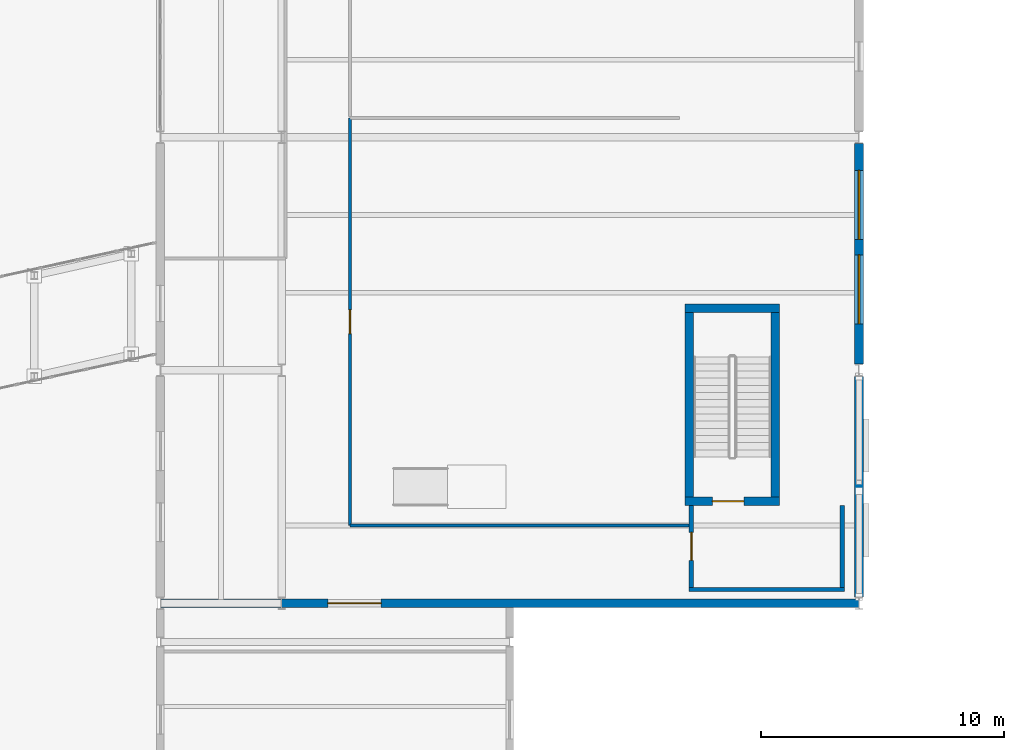
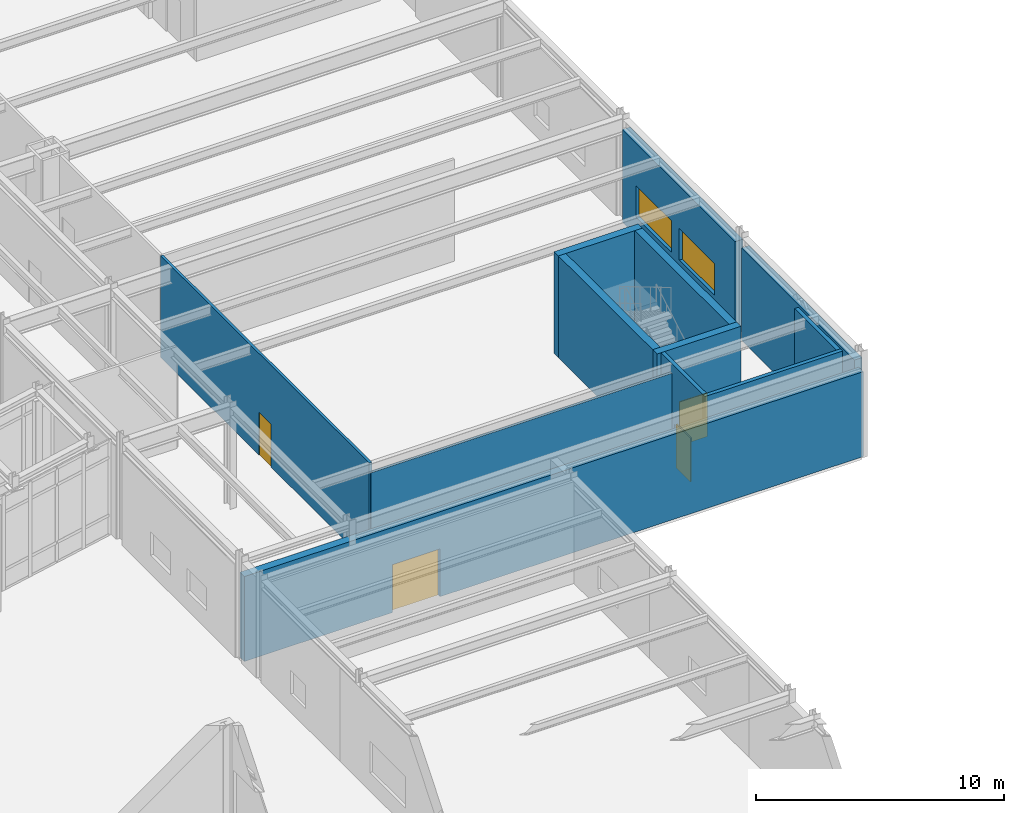
# One storey, part 89 of 109: 12 walls, 4 doors, 2 windows, 6 openings.
"""IFC4 building model written with IfcOpenShell, lengths in metres."""

from ifc_helpers import new_model, si_unit, direction, frame, frame_2d, origin, place, context, subcontext, project, spatial, rectangle, extrude, material, layer, layer_set, type_object, element, fill, save


model = new_model("IFC4")

# Units and contexts
model_context = context("Model", 3, precision=1e-05, world=origin(), true_north=direction((0.0, 1.0)))
body_context = subcontext(model_context, "Body", "Model", "MODEL_VIEW")
ifc_project = project(units=[si_unit("LENGTHUNIT", "METRE"), si_unit("AREAUNIT", "SQUARE_METRE"), si_unit("VOLUMEUNIT", "CUBIC_METRE"), si_unit("PLANEANGLEUNIT", "RADIAN"), si_unit("MASSUNIT", "GRAM", prefix="KILO")], contexts=[model_context])

# Site, building, storey
site_placement = place(None, origin())
site = spatial("IfcSite", under=ifc_project, at=site_placement, CompositionType="ELEMENT")
building_placement = place(site_placement, origin())
building = spatial("IfcBuilding", under=site, at=building_placement, Name="Nordkorset Police Headquarters", CompositionType="ELEMENT")
storey_placement = place(building_placement, origin())
storey = spatial("IfcBuildingStorey", under=building, at=storey_placement, Name="L00", CompositionType="ELEMENT", Elevation=0.0)

# Wall
ifc_material_1 = material(Name="Gypsum board", Category="gypsum")
ifc_layer_1 = layer(ifc_material_1, 0.179931640625, Name="Gypsum board")
ifc_layer_set_1 = layer_set([ifc_layer_1], Name="Gypsum board")
wall_type_1 = type_object("IfcWallType", Name="Wall_Comp_180", PredefinedType="PARTITIONING", material=ifc_layer_set_1)
wall_1_placement = place(storey_placement, frame((108.199951171875, 48.56005859375, 0.0), z_axis=(0.0, 0.0, 1.0), x_axis=(1.0, 0.0, 0.0)))
element("IfcWall", 1, at=wall_1_placement, inside=storey, type_object=wall_type_1, Name="Firefighting Lobby EI 60 Wall K8 L00 S", PredefinedType="PARTITIONING", context=body_context, shape_type="SweptSolid", body=[
    extrude(rectangle(XDim=6.400146484375, YDim=0.179931640625, at=frame_2d((3.2001953125, 0.0))), origin(), (0.0, 0.0, 1.0), 5.0),
])

# Wall, opening, door
wall_2_placement = place(storey_placement, frame((108.2900390625, 48.64990234375, 0.0), z_axis=(0.0, 0.0, 1.0), x_axis=(0.0, 1.0, 0.0)))
wall_2 = element("IfcWall", 2, at=wall_2_placement, inside=storey, type_object=wall_type_1, Name="Firefighting Lobby EI 60 Wall K8 L00 W", PredefinedType="PARTITIONING", context=body_context, shape_type="SweptSolid", body=[
    extrude(rectangle(XDim=3.375, YDim=0.179931640625, at=frame_2d((1.6875, 0.0))), origin(), (0.0, 0.0, 1.0), 5.0),
])
opening_1_placement = place(wall_2_placement, frame((1.112548828125, 0.0, 0.0)))
opening_1 = element("IfcOpeningElement", 3, at=opening_1_placement, cuts=wall_2, Name="Opening DR-01", PredefinedType="OPENING", context=body_context, shape_type="SweptSolid", body=[
    extrude(rectangle(XDim=1.14990234375, YDim=2.14990234375, at=frame_2d((0.574951171875, 1.074951171875))), frame((0.0, 0.10009765625, 0.0), z_axis=(0.0, -1.0, 0.0), x_axis=(1.0, 0.0, 0.0)), (0.0, 0.0, 1.0), 0.199951171875),
])
ifc_material_2 = material(Name="Steel S355J2", Category="steel")
door_type_1 = type_object("IfcDoorType", Name="Door_LobbySingle_1150x2150", OperationType="NOTDEFINED", PredefinedType="DOOR", material=ifc_material_2)
door_1_placement = place(opening_1_placement, origin())
door_1 = element("IfcDoor", 4, at=door_1_placement, inside=storey, type_object=door_type_1, Name="Firefighting Lobby Smoke Door K8 L00 W", OperationType="SINGLE_SWING_RIGHT", OverallHeight=2.14990234375, OverallWidth=1.14990234375, PredefinedType="DOOR", context=body_context, shape_type="SweptSolid", body=[
    extrude(rectangle(XDim=1.14990234375, YDim=2.14990234375, at=frame_2d((0.574951171875, 1.074951171875))), frame((0.0, 0.02490234375, 0.0), z_axis=(0.0, -1.0, 0.0), x_axis=(1.0, 0.0, 0.0)), (0.0, 0.0, 1.0), 0.050048828125),
])
fill(opening_1, door_1)

# Wall
wall_3_placement = place(storey_placement, frame((114.510009765625, 48.64990234375, 0.0), z_axis=(0.0, 0.0, 1.0), x_axis=(0.0, 1.0, 0.0)))
element("IfcWall", 5, at=wall_3_placement, inside=storey, type_object=wall_type_1, Name="Firefighting Lobby EI 60 Wall K8 L00 E", PredefinedType="PARTITIONING", context=body_context, shape_type="SweptSolid", body=[
    extrude(rectangle(XDim=3.375, YDim=0.179931640625, at=frame_2d((1.6875, 0.0))), origin(), (0.0, 0.0, 1.0), 5.0),
])

# Wall, opening, door
ifc_material_3 = material(Name="Concrete C35/45", Category="concrete")
ifc_layer_2 = layer(ifc_material_3, 0.35009765625, Name="Concrete C35/45")
ifc_layer_set_2 = layer_set([ifc_layer_2], Name="Concrete C35/45")
wall_type_2 = type_object("IfcWallType", Name="Wall_CoreShear_350", PredefinedType="SHEAR", material=ifc_layer_set_2)
wall_4_placement = place(storey_placement, frame((108.02490234375, 52.199951171875, 0.0), z_axis=(0.0, 0.0, 1.0), x_axis=(1.0, 0.0, 0.0)))
wall_4 = element("IfcWall", 6, at=wall_4_placement, inside=storey, type_object=wall_type_2, Name="Core K8 Stair Shaft South Shear Wall L00", PredefinedType="SHEAR", context=body_context, shape_type="SweptSolid", body=[
    extrude(rectangle(XDim=3.900146484375, YDim=0.35009765625, at=frame_2d((1.9501953125, 0.0))), origin(), (0.0, 0.0, 1.0), 5.0),
])
opening_2_placement = place(wall_4_placement, frame((1.125, 0.0, 0.0)))
opening_2 = element("IfcOpeningElement", 7, at=opening_2_placement, cuts=wall_4, Name="Opening DR-20", PredefinedType="OPENING", context=body_context, shape_type="SweptSolid", body=[
    extrude(rectangle(XDim=1.300048828125, YDim=2.14990234375, at=frame_2d((0.64990234375, 1.074951171875))), frame((0.0, 0.18505859375, 0.0), z_axis=(0.0, -1.0, 0.0), x_axis=(1.0, 0.0, 0.0)), (0.0, 0.0, 1.0), 0.3701171875),
])
ifc_material_4 = material(Name="Steel S355J2", Category="steel")
door_type_2 = type_object("IfcDoorType", Name="Door_Stair_1300x2150", OperationType="NOTDEFINED", PredefinedType="DOOR", material=ifc_material_4)
door_2_placement = place(opening_2_placement, origin())
door_2 = element("IfcDoor", 8, at=door_2_placement, inside=storey, type_object=door_type_2, Name="Protected Stair Fire Door ST-09 L00", OperationType="SINGLE_SWING_LEFT", OverallHeight=2.14990234375, OverallWidth=1.300048828125, PredefinedType="DOOR", context=body_context, shape_type="SweptSolid", body=[
    extrude(rectangle(XDim=1.300048828125, YDim=2.14990234375, at=frame_2d((0.64990234375, 1.074951171875))), frame((0.0, 0.02490234375, 0.0), z_axis=(0.0, -1.0, 0.0), x_axis=(1.0, 0.0, 0.0)), (0.0, 0.0, 1.0), 0.050048828125),
])
fill(opening_2, door_2)

# Walls
wall_5_placement = place(storey_placement, frame((108.02490234375, 60.14990234375, 0.0), z_axis=(0.0, 0.0, 1.0), x_axis=(1.0, 0.0, 0.0)))
element("IfcWall", 9, at=wall_5_placement, inside=storey, type_object=wall_type_2, Name="Core K8 Stair Shaft North Shear Wall L00", PredefinedType="SHEAR", context=body_context, shape_type="SweptSolid", body=[
    extrude(rectangle(XDim=3.900146484375, YDim=0.35009765625, at=frame_2d((1.9501953125, 0.0))), origin(), (0.0, 0.0, 1.0), 5.0),
])
for number, where, z_axis, x_axis, name in (
    (10, (108.199951171875, 52.375, 0.0), (0.0, 0.0, 1.0), (0.0, 1.0, 0.0), "Core K8 Stair Shaft West Shear Wall L00"),
    (11, (111.75, 52.375, 0.0), (0.0, 0.0, 1.0), (0.0, 1.0, 0.0), "Core K8 Stair Shaft East Shear Wall L00"),
):
    element("IfcWall", number, at=place(storey_placement, frame(where, z_axis=z_axis, x_axis=x_axis)), inside=storey, type_object=wall_type_2, Name=name, PredefinedType="SHEAR", context=body_context, shape_type="SweptSolid", body=[
        extrude(rectangle(XDim=7.60009765625, YDim=0.35009765625, at=frame_2d((3.800048828125, 0.0))), origin(), (0.0, 0.0, 1.0), 5.0),
    ])
ifc_material_5 = material(Name="Precast concrete C40/50", Category="concrete")
ifc_layer_3 = layer(ifc_material_5, 0.360107421875, Name="Precast concrete C40/50")
ifc_layer_set_3 = layer_set([ifc_layer_3], Name="Precast concrete C40/50")
wall_type_3 = type_object("IfcWallType", Name="Wall_ExtPrecast_360", PredefinedType="SOLIDWALL", material=ifc_layer_set_3)
wall_6_placement = place(storey_placement, frame((115.199951171875, 48.251953125, 0.0), z_axis=(0.0, 0.0, 1.0), x_axis=(0.0, 1.0, 0.0)))
element("IfcWall", 12, at=wall_6_placement, inside=storey, type_object=wall_type_3, Name="Exterior Insulated Precast Wall L00 V5E-0", PredefinedType="SOLIDWALL", context=body_context, shape_type="SweptSolid", body=[
    extrude(rectangle(XDim=9.095947265625, YDim=0.360107421875, at=frame_2d((4.5478515625, 0.0))), origin(), (0.0, 0.0, 1.0), 4.5400390625),
])

# Wall, openings, windows
wall_7_placement = place(storey_placement, frame((115.199951171875, 57.85205078125, 0.0), z_axis=(0.0, 0.0, 1.0), x_axis=(0.0, 1.0, 0.0)))
wall_7 = element("IfcWall", 13, at=wall_7_placement, inside=storey, type_object=wall_type_3, Name="Exterior Insulated Precast Wall L00 V5E-1", PredefinedType="SOLIDWALL", context=body_context, shape_type="SweptSolid", body=[
    extrude(rectangle(XDim=9.095947265625, YDim=0.360107421875, at=frame_2d((4.5478515625, 0.0))), origin(), (0.0, 0.0, 1.0), 4.5400390625),
])
opening_3_placement = place(wall_7_placement, frame((1.65625, 0.0, 0.89990234375)))
opening_3 = element("IfcOpeningElement", 14, at=opening_3_placement, cuts=wall_7, Name="Opening WN-42", PredefinedType="OPENING", context=body_context, shape_type="SweptSolid", body=[
    extrude(rectangle(XDim=2.85009765625, YDim=1.550048828125, at=frame_2d((1.425048828125, 0.77490234375))), frame((0.0, 0.18994140625, 0.0), z_axis=(0.0, -1.0, 0.0), x_axis=(1.0, 0.0, 0.0)), (0.0, 0.0, 1.0), 0.380126953125),
])
opening_4_placement = place(wall_7_placement, frame((5.1396484375, 0.0, 0.89990234375)))
opening_4 = element("IfcOpeningElement", 15, at=opening_4_placement, cuts=wall_7, Name="Opening WN-42", PredefinedType="OPENING", context=body_context, shape_type="SweptSolid", body=[
    extrude(rectangle(XDim=2.85009765625, YDim=1.550048828125, at=frame_2d((1.425048828125, 0.77490234375))), frame((0.0, 0.18994140625, 0.0), z_axis=(0.0, -1.0, 0.0), x_axis=(1.0, 0.0, 0.0)), (0.0, 0.0, 1.0), 0.380126953125),
])
ifc_material_6 = material(Name="Low-iron triple glazing", Category="glass")
window_type = type_object("IfcWindowType", Name="Win_2850x1550", PartitioningType="SINGLE_PANEL", PredefinedType="WINDOW", material=ifc_material_6)
window_1_placement = place(opening_3_placement, origin())
window_1 = element("IfcWindow", 16, at=window_1_placement, inside=storey, type_object=window_type, Name="Triple-Glazed Exterior Window L00 V5E-1-1", OverallHeight=1.550048828125, OverallWidth=2.85009765625, PartitioningType="SINGLE_PANEL", PredefinedType="WINDOW", context=body_context, shape_type="SweptSolid", body=[
    extrude(rectangle(XDim=2.85009765625, YDim=1.550048828125, at=frame_2d((1.425048828125, 0.77490234375))), frame((0.0, 0.030029296875, 0.0), z_axis=(0.0, -1.0, 0.0), x_axis=(1.0, 0.0, 0.0)), (0.0, 0.0, 1.0), 0.06005859375),
])
fill(opening_3, window_1)
window_2_placement = place(opening_4_placement, origin())
window_2 = element("IfcWindow", 17, at=window_2_placement, inside=storey, type_object=window_type, Name="Triple-Glazed Exterior Window L00 V5E-1-2", OverallHeight=1.550048828125, OverallWidth=2.85009765625, PartitioningType="SINGLE_PANEL", PredefinedType="WINDOW", context=body_context, shape_type="SweptSolid", body=[
    extrude(rectangle(XDim=2.85009765625, YDim=1.550048828125, at=frame_2d((1.425048828125, 0.77490234375))), frame((0.0, 0.030029296875, 0.0), z_axis=(0.0, -1.0, 0.0), x_axis=(1.0, 0.0, 0.0)), (0.0, 0.0, 1.0), 0.06005859375),
])
fill(opening_4, window_2)

# Wall, opening, door
wall_8_placement = place(storey_placement, frame((86.4091796875, 48.0, 0.0), z_axis=(0.0, 0.0, 1.0), x_axis=(1.0, 0.0, 0.0)))
wall_8 = element("IfcWall", 18, at=wall_8_placement, inside=storey, type_object=wall_type_3, Name="Exterior Insulated Precast Wall L00 V5S-0", PredefinedType="SOLIDWALL", context=body_context, shape_type="SweptSolid", body=[
    extrude(rectangle(XDim=28.781494140625, YDim=0.360107421875, at=frame_2d((14.390625, 0.0))), origin(), (0.0, 0.0, 1.0), 4.179931640625),
])
opening_5_placement = place(wall_8_placement, frame((6.890869140625, 0.0, 0.0)))
opening_5 = element("IfcOpeningElement", 19, at=opening_5_placement, cuts=wall_8, Name="Opening ED-11", PredefinedType="OPENING", context=body_context, shape_type="SweptSolid", body=[
    extrude(rectangle(XDim=2.199951171875, YDim=2.35009765625, at=frame_2d((1.10009765625, 1.175048828125))), frame((0.0, 0.18994140625, 0.0), z_axis=(0.0, -1.0, 0.0), x_axis=(1.0, 0.0, 0.0)), (0.0, 0.0, 1.0), 0.380126953125),
])
ifc_material_7 = material(Name="Aluminium alloy AW-6060", Category="aluminium")
door_type_3 = type_object("IfcDoorType", Name="ExtDoor_CivicExit_2200x2350", OperationType="DOUBLE_DOOR_SINGLE_SWING", PredefinedType="DOOR", material=ifc_material_7)
door_3_placement = place(opening_5_placement, frame((2.199951171875, 0.0, 0.0), z_axis=(0.0, 0.0, 1.0), x_axis=(-1.0, 0.0, 0.0)))
door_3 = element("IfcDoor", 20, at=door_3_placement, inside=storey, type_object=door_type_3, Name="Training Pavilion South Final Exit Door ED-11", OperationType="SINGLE_SWING_LEFT", OverallHeight=2.35009765625, OverallWidth=2.199951171875, PredefinedType="DOOR", context=body_context, shape_type="SweptSolid", body=[
    extrude(rectangle(XDim=2.199951171875, YDim=2.35009765625, at=frame_2d((1.10009765625, 1.175048828125))), frame((0.0, 0.02490234375, 0.0), z_axis=(0.0, -1.0, 0.0), x_axis=(1.0, 0.0, 0.0)), (0.0, 0.0, 1.0), 0.050048828125),
])
fill(opening_5, door_3)

# Wall
ifc_material_8 = material(Name="Gypsum board", Category="gypsum")
ifc_layer_4 = layer(ifc_material_8, 0.1201171875, Name="Gypsum board")
ifc_layer_set_4 = layer_set([ifc_layer_4], Name="Gypsum board")
wall_type_4 = type_object("IfcWallType", Name="Wall_Part_120", PredefinedType="PARTITIONING", material=ifc_layer_set_4)
wall_9_placement = place(storey_placement, frame((94.219970703125, 51.199951171875, 0.0), z_axis=(0.0, 0.0, 1.0), x_axis=(1.0, 0.0, 0.0)))
element("IfcWall", 21, at=wall_9_placement, inside=storey, type_object=wall_type_4, Name="Interior Partition Wall District Patrol Briefing Hall", PredefinedType="PARTITIONING", context=body_context, shape_type="SweptSolid", body=[
    extrude(rectangle(XDim=13.985107421875, YDim=0.1201171875, at=frame_2d((6.99267578125, 0.0))), origin(), (0.0, 0.0, 1.0), 4.530029296875),
])

# Wall, opening, door
wall_10_placement = place(storey_placement, frame((94.219970703125, 68.0, 0.0), z_axis=(0.0, 0.0, 1.0), x_axis=(0.0, -1.0, 0.0)))
wall_10 = element("IfcWall", 22, at=wall_10_placement, inside=storey, type_object=wall_type_4, Name="Interior Partition Wall District Patrol Briefing Hall", PredefinedType="PARTITIONING", context=body_context, shape_type="SweptSolid", body=[
    extrude(rectangle(XDim=16.800048828125, YDim=0.1201171875, at=frame_2d((8.39990234375, 0.0))), origin(), (0.0, 0.0, 1.0), 5.0),
])
opening_6_placement = place(wall_10_placement, frame((7.909912109375, 0.0, 0.0)))
opening_6 = element("IfcOpeningElement", 23, at=opening_6_placement, cuts=wall_10, Name="Opening DR-18", PredefinedType="OPENING", context=body_context, shape_type="SweptSolid", body=[
    extrude(rectangle(XDim=0.97998046875, YDim=2.10009765625, at=frame_2d((0.489990234375, 1.050048828125))), frame((0.0, 0.070068359375, 0.0), z_axis=(0.0, -1.0, 0.0), x_axis=(1.0, 0.0, 0.0)), (0.0, 0.0, 1.0), 0.14013671875),
])
ifc_material_9 = material(Name="Glulam GL30c", Category="wood")
door_type_4 = type_object("IfcDoorType", Name="Door_Office_980x2100", OperationType="NOTDEFINED", PredefinedType="DOOR", material=ifc_material_9)
door_4_placement = place(opening_6_placement, frame((0.97998046875, 0.0, 0.0), z_axis=(0.0, 0.0, 1.0), x_axis=(-1.0, 0.0, 0.0)))
door_4 = element("IfcDoor", 24, at=door_4_placement, inside=storey, type_object=door_type_4, Name="Interior Door District Patrol Briefing Hall", OperationType="SINGLE_SWING_RIGHT", OverallHeight=2.10009765625, OverallWidth=0.97998046875, PredefinedType="DOOR", context=body_context, shape_type="SweptSolid", body=[
    extrude(rectangle(XDim=0.97998046875, YDim=2.10009765625, at=frame_2d((0.489990234375, 1.050048828125))), frame((0.0, 0.02490234375, 0.0), z_axis=(0.0, -1.0, 0.0), x_axis=(1.0, 0.0, 0.0)), (0.0, 0.0, 1.0), 0.050048828125),
])
fill(opening_6, door_4)

save(model, "model.ifc")
